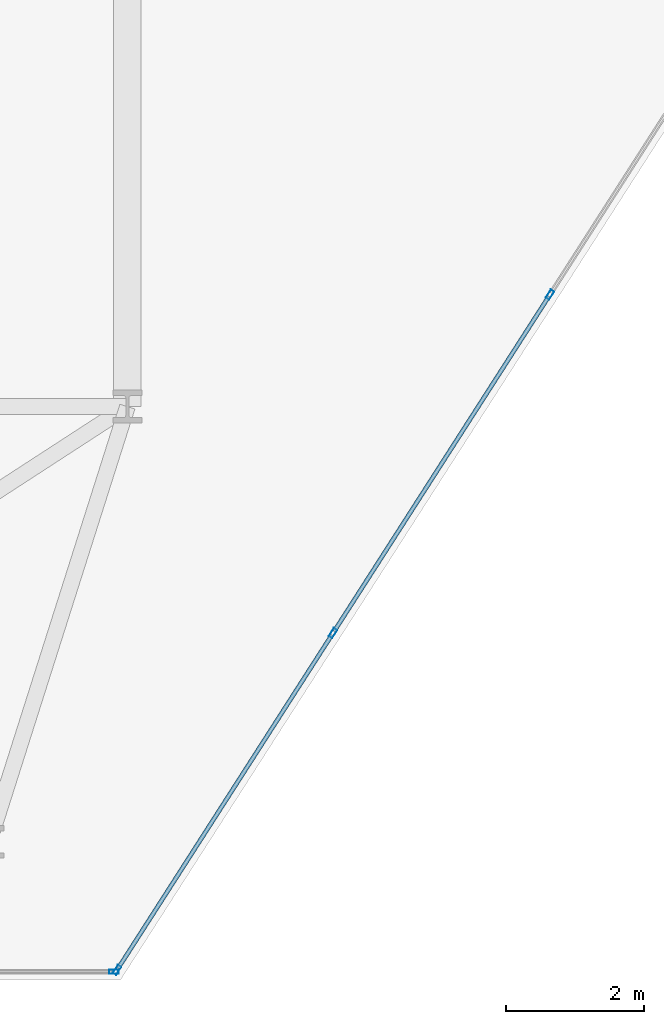
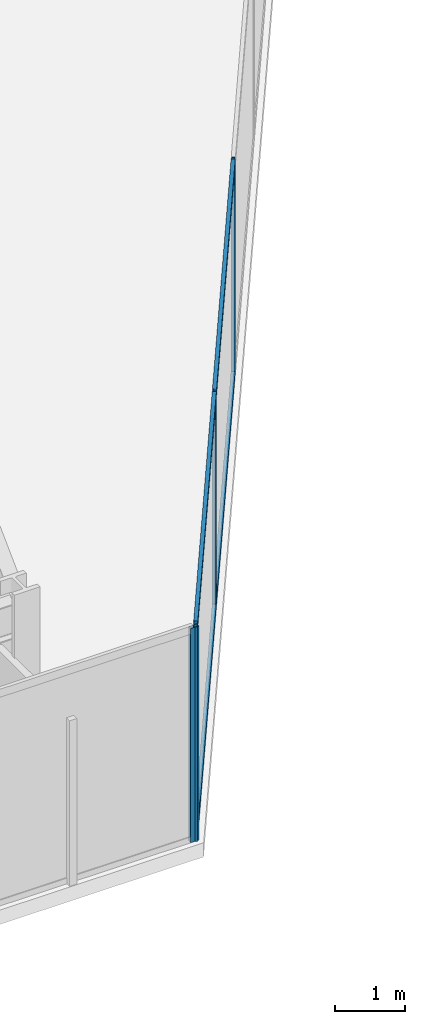
# One storey, part 4 of 20: 8 members, 2 elements without a shape of their own.
"""IFC4 building model written with IfcOpenShell, lengths in metres."""

from ifc_helpers import new_model, si_unit, direction, frame, origin, origin_2d, place, context, subcontext, project, spatial, hollow_rectangle, extrude, material, layer, layer_set, material_profile, profile_set, type_object, element, aggregate, save


model = new_model("IFC4")

# Units and contexts
model_context = context("Model", 3, precision=1e-05, world=origin(), true_north=direction((0.0, 1.0)))
body_context = subcontext(model_context, "Body", "Model", "MODEL_VIEW")
ifc_project = project(units=[si_unit("LENGTHUNIT", "METRE"), si_unit("AREAUNIT", "SQUARE_METRE"), si_unit("VOLUMEUNIT", "CUBIC_METRE"), si_unit("PLANEANGLEUNIT", "RADIAN"), si_unit("MASSUNIT", "GRAM", prefix="KILO")], contexts=[model_context])

# Site, building, storey
site_placement = place(None, origin())
site = spatial("IfcSite", under=ifc_project, at=site_placement, CompositionType="ELEMENT")
building_placement = place(site_placement, origin())
building = spatial("IfcBuilding", under=site, at=building_placement, Name="Kravanh Interchange Tower", CompositionType="ELEMENT")
storey_placement = place(building_placement, frame((0.0, 0.0, 104.0)))
storey = spatial("IfcBuildingStorey", under=building, at=storey_placement, Name="L24", CompositionType="ELEMENT", Elevation=104.0)

# Curtain wall, members
ifc_material_1 = material(Name="Anodised Bronze Aluminium", Category="aluminium")
ifc_layer = layer(ifc_material_1, 0.179931640625)
ifc_layer_set = layer_set([ifc_layer], Name="Unitised Curtain Wall System CW-Z2 Mid Office")
curtain_wall_type = type_object("IfcCurtainWallType", Name="Unitised Curtain Wall System CW-Z2 Mid Office", PredefinedType="NOTDEFINED", material=ifc_layer_set)
curtain_wall_1_placement = place(storey_placement, origin())
curtain_wall_1 = element("IfcCurtainWall", 1, at=curtain_wall_1_placement, inside=storey, type_object=curtain_wall_type, Name="L24 Unitised Curtain Wall CW-L24-04", PredefinedType="NOTDEFINED")
ifc_material_2 = material(Name="Anodised Bronze Aluminium", Category="aluminium")
ifc_material_profile_1 = material_profile(ifc_material_2, hollow_rectangle(XDim=0.06005859375, YDim=0.139892578125, WallThickness=0.00390625, at=origin_2d()), Name="ALU60X140X4")
ifc_profile_set_1 = profile_set([ifc_material_profile_1], Name="Anodised Bronze Aluminium")
member_type_1 = type_object("IfcMemberType", Name="Curtain Wall Mullion ALU60X140X4 Bronze", PredefinedType="MULLION", material=ifc_profile_set_1)
member_1_placement = place(storey_placement, frame((33.317138671875, 16.12109375, 0.0), z_axis=(0.0, 0.0, 1.0), x_axis=(0.841879939476, -0.539664865919, 0.0)))
member_1 = element("IfcMember", 2, at=member_1_placement, type_object=member_type_1, Name="CW-Z2 mullion 3", PredefinedType="MULLION", context=body_context, shape_type="SweptSolid", body=[
    extrude(hollow_rectangle(XDim=0.06005859375, YDim=0.139892578125, WallThickness=0.00390625, at=origin_2d()), origin(), (0.0, 0.0, 1.0), 3.75),
])
member_2_placement = place(storey_placement, frame((30.17578125, 11.220703125, 0.0), z_axis=(0.0, 0.0, 1.0), x_axis=(0.841879939476, -0.539664865919, 0.0)))
member_2 = element("IfcMember", 3, at=member_2_placement, type_object=member_type_1, Name="CW-Z2 mullion 4", PredefinedType="MULLION", context=body_context, shape_type="SweptSolid", body=[
    extrude(hollow_rectangle(XDim=0.06005859375, YDim=0.139892578125, WallThickness=0.00390625, at=origin_2d()), origin(), (0.0, 0.0, 1.0), 3.75),
])
member_3_placement = place(storey_placement, frame((27.050537109375, 6.34521484375, 0.0), z_axis=(0.0, 0.0, 1.0), x_axis=(0.841879939476, -0.539664865919, 0.0)))
member_3 = element("IfcMember", 4, at=member_3_placement, type_object=member_type_1, Name="CW-Z2 mullion 5", PredefinedType="MULLION", context=body_context, shape_type="SweptSolid", body=[
    extrude(hollow_rectangle(XDim=0.06005859375, YDim=0.139892578125, WallThickness=0.00390625, at=origin_2d()), origin(), (0.0, 0.0, 1.0), 3.75),
])

# Curtain wall, member
curtain_wall_2_placement = place(storey_placement, origin())
curtain_wall_2 = element("IfcCurtainWall", 5, at=curtain_wall_2_placement, inside=storey, type_object=curtain_wall_type, Name="L24 Unitised Curtain Wall CW-L24-05", PredefinedType="NOTDEFINED")
member_4_placement = place(storey_placement, frame((27.00439453125, 6.320068359375, 0.0), z_axis=(0.0, 0.0, 1.0), x_axis=(0.0, -1.0, 0.0)))
member_4 = element("IfcMember", 6, at=member_4_placement, type_object=member_type_1, Name="CW-Z2 mullion 1", PredefinedType="MULLION", context=body_context, shape_type="SweptSolid", body=[
    extrude(hollow_rectangle(XDim=0.06005859375, YDim=0.139892578125, WallThickness=0.00390625, at=origin_2d()), origin(), (0.0, 0.0, 1.0), 3.75),
])
aggregate(curtain_wall_2, [member_4])

# Member
ifc_material_3 = material(Name="Anodised Bronze Aluminium", Category="aluminium")
ifc_material_profile_2 = material_profile(ifc_material_3, hollow_rectangle(XDim=0.06005859375, YDim=0.139892578125, WallThickness=0.00390625, at=origin_2d()), Name="ALU60X140X4")
ifc_profile_set_2 = profile_set([ifc_material_profile_2], Name="Anodised Bronze Aluminium")
member_type_2 = type_object("IfcMemberType", Name="Curtain Wall Transom ALU60X140X4 Bronze", PredefinedType="USERDEFINED", material=ifc_profile_set_2)
member_5_placement = place(storey_placement, frame((33.301025390625, 16.095947265625, 0.030029296875), z_axis=(-0.539677666788, -0.84187173368, 0.0), x_axis=(0.84187173368, -0.539677666788, 0.0)))
member_5 = element("IfcMember", 7, at=member_5_placement, type_object=member_type_2, Name="CW-Z2 transom 3.1", ObjectType="TRANSOM", PredefinedType="USERDEFINED", context=body_context, shape_type="SweptSolid", body=[
    extrude(hollow_rectangle(XDim=0.06005859375, YDim=0.139892578125, WallThickness=0.00390625, at=origin_2d()), origin(), (0.0, 0.0, 1.0), 5.760986328125),
])

member_6_placement = place(storey_placement, frame((33.301025390625, 16.095947265625, 3.719970703125), z_axis=(-0.539677666788, -0.84187173368, 0.0), x_axis=(0.84187173368, -0.539677666788, 0.0)))
member_6 = element("IfcMember", 8, at=member_6_placement, type_object=member_type_2, Name="CW-Z2 transom 3.2", ObjectType="TRANSOM", PredefinedType="USERDEFINED", context=body_context, shape_type="SweptSolid", body=[
    extrude(hollow_rectangle(XDim=0.06005859375, YDim=0.139892578125, WallThickness=0.00390625, at=origin_2d()), origin(), (0.0, 0.0, 1.0), 5.760986328125),
])

member_7_placement = place(storey_placement, frame((30.15966796875, 11.1953125, 0.030029296875), z_axis=(-0.53966766312, -0.841878146398, 0.0), x_axis=(0.841878146398, -0.53966766312, 0.0)))
member_7 = element("IfcMember", 9, at=member_7_placement, type_object=member_type_2, Name="CW-Z2 transom 4.1", ObjectType="TRANSOM", PredefinedType="USERDEFINED", context=body_context, shape_type="SweptSolid", body=[
    extrude(hollow_rectangle(XDim=0.06005859375, YDim=0.139892578125, WallThickness=0.00390625, at=origin_2d()), origin(), (0.0, 0.0, 1.0), 5.73095703125),
])

member_8_placement = place(storey_placement, frame((30.15966796875, 11.1953125, 3.719970703125), z_axis=(-0.53966766312, -0.841878146398, 0.0), x_axis=(0.841878146398, -0.53966766312, 0.0)))
member_8 = element("IfcMember", 10, at=member_8_placement, type_object=member_type_2, Name="CW-Z2 transom 4.2", ObjectType="TRANSOM", PredefinedType="USERDEFINED", context=body_context, shape_type="SweptSolid", body=[
    extrude(hollow_rectangle(XDim=0.06005859375, YDim=0.139892578125, WallThickness=0.00390625, at=origin_2d()), origin(), (0.0, 0.0, 1.0), 5.73095703125),
])

aggregate(curtain_wall_1, [member_1, member_2, member_3, member_5, member_6, member_7, member_8])

save(model, "model.ifc")
